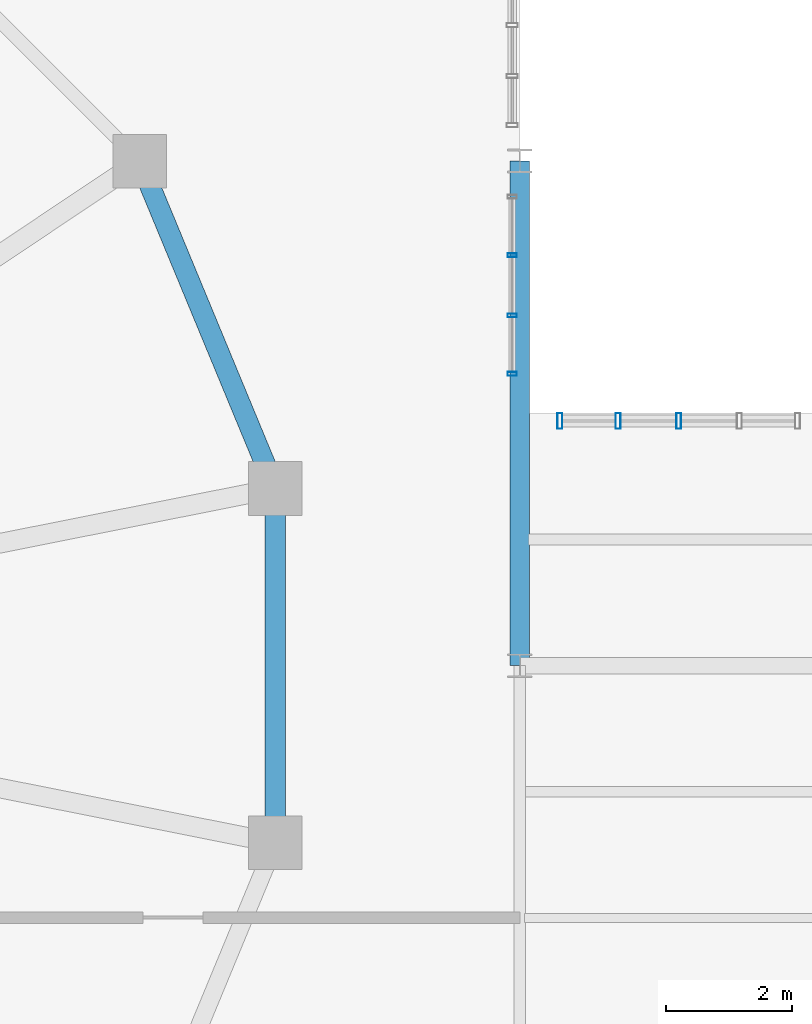
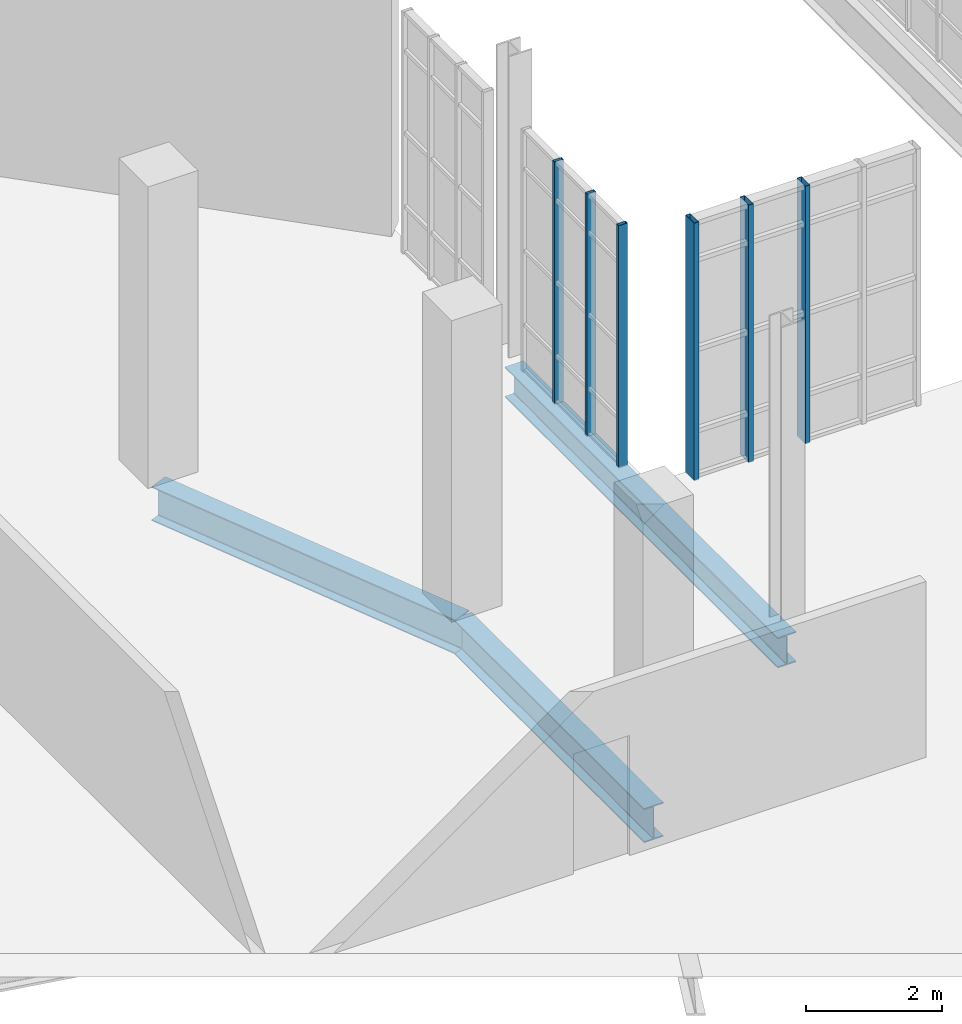
# One storey, part 85 of 189: 6 members, 3 beams, 2 elements without a shape of their own.
"""IFC4 building model written with IfcOpenShell, lengths in metres."""

from ifc_helpers import new_model, si_unit, direction, frame, origin, origin_2d, place, context, subcontext, project, spatial, hollow_rectangle, i_section, extrude, material, layer, layer_set, material_profile, profile_set, type_object, element, aggregate, save


model = new_model("IFC4")

# Units and contexts
model_context = context("Model", 3, precision=1e-05, world=origin(), true_north=direction((0.0, 1.0)))
body_context = subcontext(model_context, "Body", "Model", "MODEL_VIEW")
ifc_project = project(units=[si_unit("LENGTHUNIT", "METRE"), si_unit("AREAUNIT", "SQUARE_METRE"), si_unit("VOLUMEUNIT", "CUBIC_METRE"), si_unit("PLANEANGLEUNIT", "RADIAN"), si_unit("MASSUNIT", "GRAM", prefix="KILO"), si_unit("THERMODYNAMICTEMPERATUREUNIT", "KELVIN"), si_unit("POWERUNIT", "WATT")], contexts=[model_context])

# Site, building, storey
site_placement = place(None, origin())
site = spatial("IfcSite", under=ifc_project, at=site_placement, CompositionType="ELEMENT")
building_placement = place(site_placement, origin())
building = spatial("IfcBuilding", under=site, at=building_placement, Name="Zelmaris Science Centre", CompositionType="ELEMENT")
storey_placement = place(building_placement, origin())
storey = spatial("IfcBuildingStorey", under=building, at=storey_placement, Name="L00", CompositionType="ELEMENT", Elevation=0.0)

# Curtain wall, members
ifc_material_1 = material(Name="Anodised architectural aluminium 6063-T6", Category="aluminium")
ifc_layer_1 = layer(ifc_material_1, 0.219970703125, Name="Anodised architectural aluminium 6063-T6")
ifc_layer_set_1 = layer_set([ifc_layer_1], Name="Anodised architectural aluminium 6063-T6")
curtain_wall_type_1 = type_object("IfcCurtainWallType", Name="Curtain Wall CW-04", PredefinedType="USERDEFINED", material=ifc_layer_set_1)
curtain_wall_1_placement = place(storey_placement, origin())
curtain_wall_1 = element("IfcCurtainWall", 1, at=curtain_wall_1_placement, inside=storey, type_object=curtain_wall_type_1, Name="L00 Unitised curtain wall 24", ObjectType="GLAZED CURTAIN WALL", PredefinedType="USERDEFINED")
ifc_material_profile_1 = material_profile(ifc_material_1, hollow_rectangle(XDim=0.06005859375, YDim=0.14990234375, WallThickness=0.00341796875, at=origin_2d()), Name="ALU-MUL-60X150")
ifc_profile_set_1 = profile_set([ifc_material_profile_1], Name="Anodised architectural aluminium 6063-T6")
member_type_1 = type_object("IfcMemberType", Name="ALU-MUL-60X150", PredefinedType="MULLION", material=ifc_profile_set_1)
member_1_placement = place(storey_placement, frame((44.8798828125, 78.506591796875, -0.014892578125), z_axis=(0.0, 0.0, 1.0), x_axis=(8.726646e-06, -0.999999999962, 0.0)))
member_1 = element("IfcMember", 2, at=member_1_placement, type_object=member_type_1, Name="CW-04 mullion 2", PredefinedType="MULLION", context=body_context, shape_type="SweptSolid", body=[
    extrude(hollow_rectangle(XDim=0.06005859375, YDim=0.14990234375, WallThickness=0.00341796875, at=origin_2d()), origin(), (0.0, 0.0, 1.0), 4.337890625),
])
member_2_placement = place(storey_placement, frame((44.8798828125, 77.55322265625, -0.014892578125), z_axis=(0.0, 0.0, 1.0), x_axis=(8.726646e-06, -0.999999999962, 0.0)))
member_2 = element("IfcMember", 3, at=member_2_placement, type_object=member_type_1, Name="CW-04 mullion 3", PredefinedType="MULLION", context=body_context, shape_type="SweptSolid", body=[
    extrude(hollow_rectangle(XDim=0.06005859375, YDim=0.14990234375, WallThickness=0.00341796875, at=origin_2d()), origin(), (0.0, 0.0, 1.0), 4.337890625),
])
member_3_placement = place(storey_placement, frame((44.8798828125, 76.6259765625, -0.014892578125), z_axis=(0.0, 0.0, 1.0), x_axis=(8.726646e-06, -0.999999999962, 0.0)))
member_3 = element("IfcMember", 4, at=member_3_placement, type_object=member_type_1, Name="CW-04 mullion 4", PredefinedType="MULLION", context=body_context, shape_type="SweptSolid", body=[
    extrude(hollow_rectangle(XDim=0.06005859375, YDim=0.14990234375, WallThickness=0.00341796875, at=origin_2d()), origin(), (0.0, 0.0, 1.0), 4.337890625),
])
aggregate(curtain_wall_1, [member_1, member_2, member_3])

ifc_layer_2 = layer(ifc_material_1, 0.18994140625, Name="Anodised architectural aluminium 6063-T6")
ifc_layer_set_2 = layer_set([ifc_layer_2], Name="Anodised architectural aluminium 6063-T6")
curtain_wall_type_2 = type_object("IfcCurtainWallType", Name="Curtain Wall CW-01", PredefinedType="USERDEFINED", material=ifc_layer_set_2)
curtain_wall_2_placement = place(storey_placement, origin())
curtain_wall_2 = element("IfcCurtainWall", 5, at=curtain_wall_2_placement, inside=storey, type_object=curtain_wall_type_2, Name="L00 Unitised curtain wall 25", ObjectType="GLAZED CURTAIN WALL", PredefinedType="USERDEFINED")
ifc_material_profile_2 = material_profile(ifc_material_1, hollow_rectangle(XDim=0.080078125, YDim=0.25, WallThickness=0.0048828125, at=origin_2d()), Name="ALU-MUL-80X250")
ifc_profile_set_2 = profile_set([ifc_material_profile_2], Name="Anodised architectural aluminium 6063-T6")
member_type_2 = type_object("IfcMemberType", Name="ALU-MUL-80X250", PredefinedType="MULLION", material=ifc_profile_set_2)
member_4_placement = place(storey_placement, frame((45.635986328125, 75.8798828125, -0.014892578125), z_axis=(0.0, 0.0, 1.0), x_axis=(1.0, 0.0, 0.0)))
member_4 = element("IfcMember", 6, at=member_4_placement, type_object=member_type_2, Name="CW-01 mullion 1", PredefinedType="MULLION", context=body_context, shape_type="SweptSolid", body=[
    extrude(hollow_rectangle(XDim=0.080078125, YDim=0.25, WallThickness=0.0048828125, at=origin_2d()), origin(), (0.0, 0.0, 1.0), 4.614990234375),
])
member_5_placement = place(storey_placement, frame((46.56005859375, 75.8798828125, -0.014892578125), z_axis=(0.0, 0.0, 1.0), x_axis=(1.0, 0.0, 0.0)))
member_5 = element("IfcMember", 7, at=member_5_placement, type_object=member_type_2, Name="CW-01 mullion 2", PredefinedType="MULLION", context=body_context, shape_type="SweptSolid", body=[
    extrude(hollow_rectangle(XDim=0.080078125, YDim=0.25, WallThickness=0.0048828125, at=origin_2d()), origin(), (0.0, 0.0, 1.0), 4.614990234375),
])
member_6_placement = place(storey_placement, frame((47.52001953125, 75.8798828125, -0.014892578125), z_axis=(0.0, 0.0, 1.0), x_axis=(1.0, 0.0, 0.0)))
member_6 = element("IfcMember", 8, at=member_6_placement, type_object=member_type_2, Name="CW-01 mullion 3", PredefinedType="MULLION", context=body_context, shape_type="SweptSolid", body=[
    extrude(hollow_rectangle(XDim=0.080078125, YDim=0.25, WallThickness=0.0048828125, at=origin_2d()), origin(), (0.0, 0.0, 1.0), 4.614990234375),
])
aggregate(curtain_wall_2, [member_4, member_5, member_6])

# Beams
ifc_material_2 = material(Name="Steel ASTM A992 Grade 50", Category="steel")
ifc_material_profile_3 = material_profile(ifc_material_2, i_section(OverallWidth=0.31201171875, OverallDepth=0.5458984375, WebThickness=0.013916015625, FlangeThickness=0.022216796875, FilletRadius=0.013916015625, at=origin_2d()), Name="W21X111")
ifc_profile_set_3 = profile_set([ifc_material_profile_3], Name="Steel ASTM A992 Grade 50")
beam_type_1 = type_object("IfcBeamType", Name="Beam G-39 W21X111", PredefinedType="BEAM", material=ifc_profile_set_3)
beam_placement = place(storey_placement, frame((45.0, 72.0, -0.552978515625), z_axis=(0.0, 1.0, 0.0), x_axis=(-1.0, 0.0, 0.0)))
element("IfcBeam", 9, at=beam_placement, inside=storey, type_object=beam_type_1, Name="L00 North-south girder 28", PredefinedType="BEAM", context=body_context, shape_type="SweptSolid", body=[
    extrude(i_section(OverallWidth=0.31201171875, OverallDepth=0.5458984375, WebThickness=0.013916015625, FlangeThickness=0.022216796875, FilletRadius=0.013916015625, at=origin_2d()), origin(), (0.0, 0.0, 1.0), 8.0),
])
ifc_material_profile_4 = material_profile(ifc_material_2, i_section(OverallWidth=0.324951171875, OverallDepth=0.612060546875, WebThickness=0.0126953125, FlangeThickness=0.01904296875, FilletRadius=0.014892578125, at=origin_2d()), Name="W24X104")
ifc_profile_set_4 = profile_set([ifc_material_profile_4], Name="Steel ASTM A992 Grade 50")
beam_type_2 = type_object("IfcBeamType", Name="Beam SP-01 W24X104", PredefinedType="SPANDREL", material=ifc_profile_set_4)
for number, where, z_axis, x_axis, name in (
    (10, (41.123291015625, 74.809326171875, -0.5859375), (-0.38268310735, 0.923879667137, 0.0), (-0.923879667137, -0.38268310735, 0.0), "L00 Planetarium drum ring beam 1"),
    (11, (41.123291015625, 69.190673828125, -0.5859375), (0.0, 1.0, 0.0), (-1.0, 0.0, 0.0), "L00 Planetarium drum ring beam 16"),
):
    element("IfcBeam", number, at=place(storey_placement, frame(where, z_axis=z_axis, x_axis=x_axis)), inside=storey, type_object=beam_type_2, Name=name, PredefinedType="SPANDREL", context=body_context, shape_type="SweptSolid", body=[
        extrude(i_section(OverallWidth=0.324951171875, OverallDepth=0.612060546875, WebThickness=0.0126953125, FlangeThickness=0.01904296875, FilletRadius=0.014892578125, at=origin_2d()), origin(), (0.0, 0.0, 1.0), 5.61865234375),
    ])

save(model, "model.ifc")
